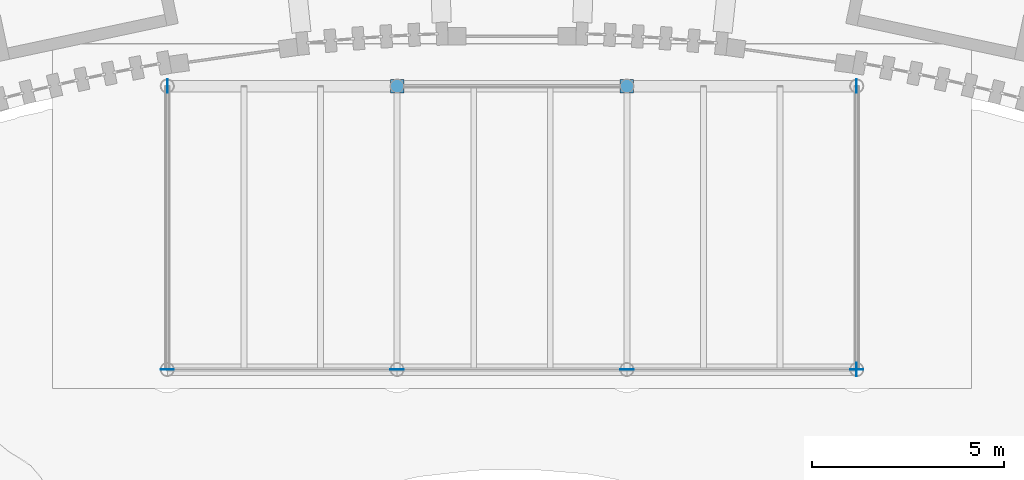
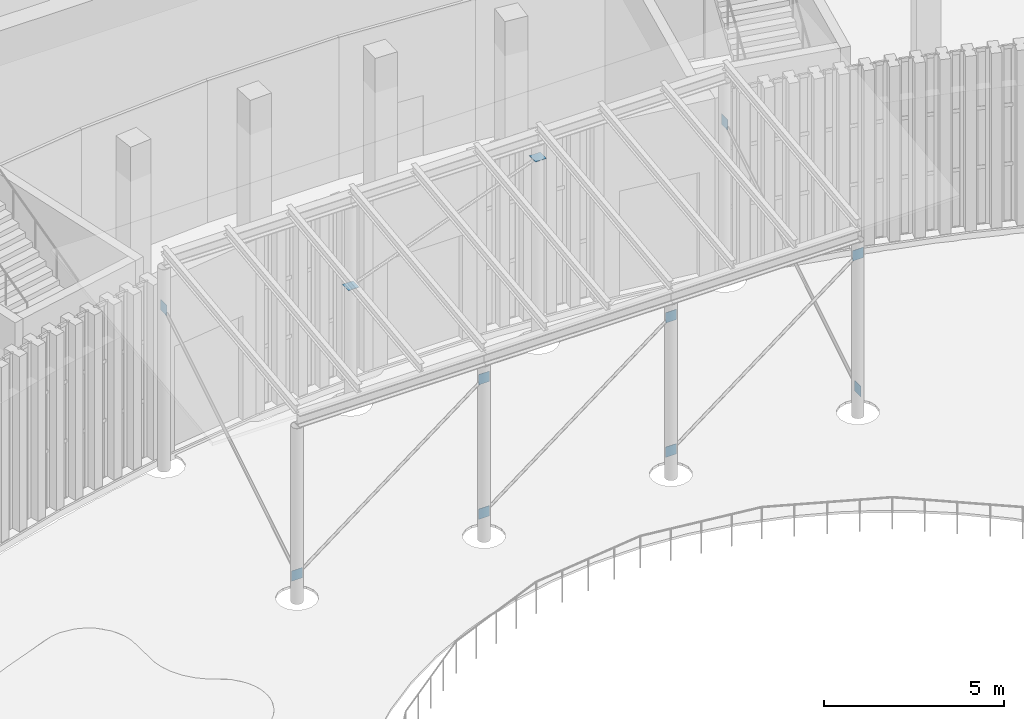
# One storey, part 111 of 155: 11 discrete accessories.
"""IFC4 building model written with IfcOpenShell, lengths in metres."""

from ifc_helpers import new_model, si_unit, direction, frame, origin, origin_2d, place, context, subcontext, project, spatial, rectangle, extrude, material, layer, layer_set, type_object, element, save


model = new_model("IFC4")

# Units and contexts
model_context = context("Model", 3, precision=1e-05, world=origin(), true_north=direction((0.0, 1.0)))
body_context = subcontext(model_context, "Body", "Model", "MODEL_VIEW")
ifc_project = project(units=[si_unit("LENGTHUNIT", "METRE"), si_unit("AREAUNIT", "SQUARE_METRE"), si_unit("VOLUMEUNIT", "CUBIC_METRE"), si_unit("PLANEANGLEUNIT", "RADIAN"), si_unit("MASSUNIT", "GRAM", prefix="KILO")], contexts=[model_context])

# Site, building, storey
site_placement = place(None, origin())
site = spatial("IfcSite", under=ifc_project, at=site_placement, CompositionType="ELEMENT")
building_placement = place(site_placement, origin())
building = spatial("IfcBuilding", under=site, at=building_placement, Name="Lunette Opera House", CompositionType="ELEMENT")
storey_placement = place(building_placement, origin())
storey = spatial("IfcBuildingStorey", under=building, at=storey_placement, Name="L00", CompositionType="ELEMENT", Elevation=0.0)

# Discrete accessories
ifc_material = material(Name="Steel S355", Category="steel")
ifc_layer = layer(ifc_material, 0.011962890625)
ifc_layer_set = layer_set([ifc_layer], Name="Steel S355")
discrete_accessory_type = type_object("IfcDiscreteAccessoryType", Name="BRACE GUSSET PLATE 12", PredefinedType="USERDEFINED", material=ifc_layer_set)
for number, where, z_axis, x_axis, name in (
    (1, (87.0, 43.5, 0.625), (0.0, 0.0, 1.0), (1.0, 0.0, 0.0), "Gusset plate 319"),
    (2, (93.0, 43.5, 5.18603515625), (0.0, 0.0, 1.0), (1.0, 0.0, 0.0), "Gusset plate 320"),
    (3, (93.0, 43.5, 0.625), (0.0, 0.0, 1.0), (1.0, 0.0, 0.0), "Gusset plate 321"),
    (4, (99.0, 43.5, 5.18603515625), (0.0, 0.0, 1.0), (1.0, 0.0, 0.0), "Gusset plate 322"),
    (5, (99.0, 43.5, 0.625), (0.0, 0.0, 1.0), (1.0, 0.0, 0.0), "Gusset plate 323"),
    (6, (105.0, 43.5, 5.18603515625), (0.0, 0.0, 1.0), (1.0, 0.0, 0.0), "Gusset plate 324"),
    (7, (87.0, 50.89990234375, 5.18603515625), (0.0, 0.0, 1.0), (0.0, 1.0, 0.0), "Gusset plate 325"),
    (8, (105.0, 43.5, 0.625), (0.0, 0.0, 1.0), (0.0, 1.0, 0.0), "Gusset plate 326"),
    (9, (105.0, 50.89990234375, 5.18603515625), (0.0, 0.0, 1.0), (0.0, 1.0, 0.0), "Gusset plate 327"),
):
    element("IfcDiscreteAccessory", number, at=place(storey_placement, frame(where, z_axis=z_axis, x_axis=x_axis)), inside=storey, type_object=discrete_accessory_type, Name=name, ObjectType="GUSSET PLATE", PredefinedType="USERDEFINED", context=body_context, shape_type="SweptSolid", body=[
        extrude(rectangle(XDim=0.35009765625, YDim=0.011962890625, at=origin_2d()), origin(), (0.0, 0.0, 1.0), 0.35009765625),
    ])
for number, where, z_axis, x_axis, name in (
    (10, (93.0, 50.89990234375, 3.994140625), (0.0, 0.0, 1.0), (1.0, 0.0, 0.0), "Gusset plate 328"),
    (11, (99.0, 50.89990234375, 6.26025390625), (0.0, 0.0, 1.0), (1.0, 0.0, 0.0), "Gusset plate 329"),
):
    element("IfcDiscreteAccessory", number, at=place(storey_placement, frame(where, z_axis=z_axis, x_axis=x_axis)), inside=storey, type_object=discrete_accessory_type, Name=name, ObjectType="GUSSET PLATE", PredefinedType="USERDEFINED", context=body_context, shape_type="SweptSolid", body=[
        extrude(rectangle(XDim=0.35009765625, YDim=0.35009765625, at=origin_2d()), origin(), (0.0, 0.0, 1.0), 0.011962890625),
    ])

save(model, "model.ifc")
